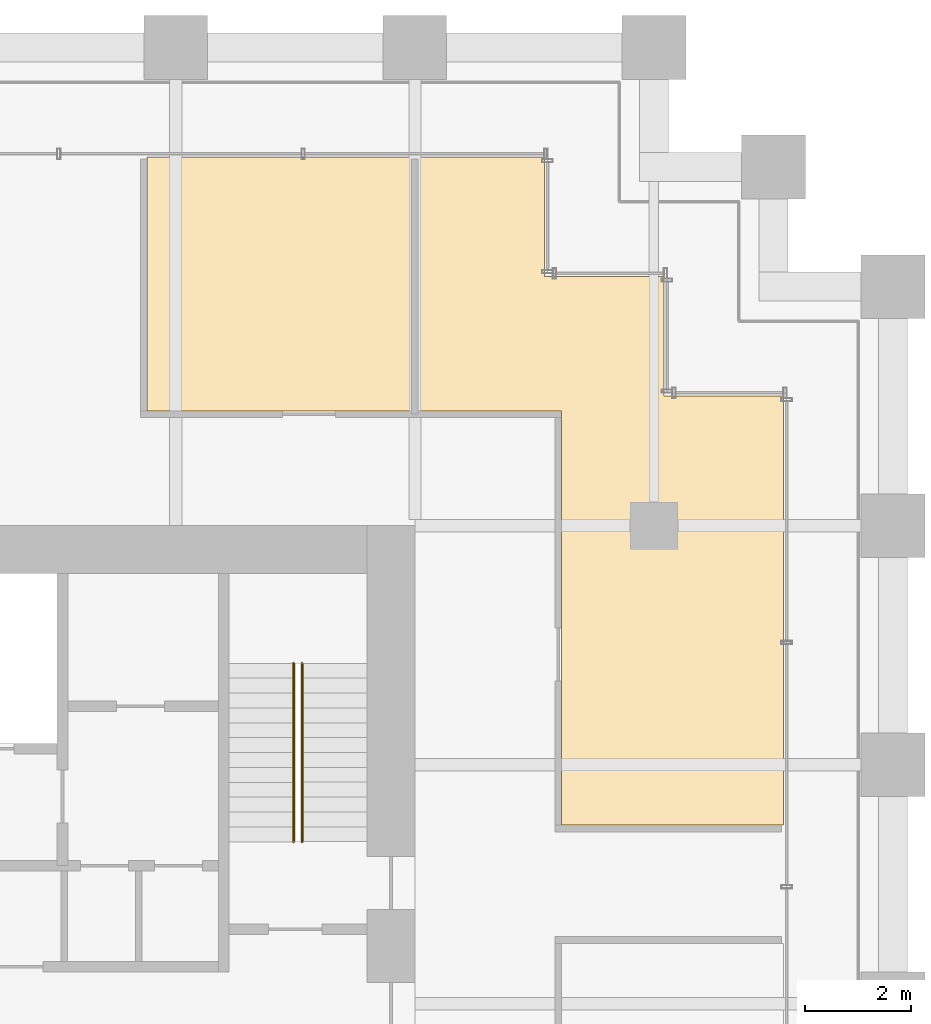
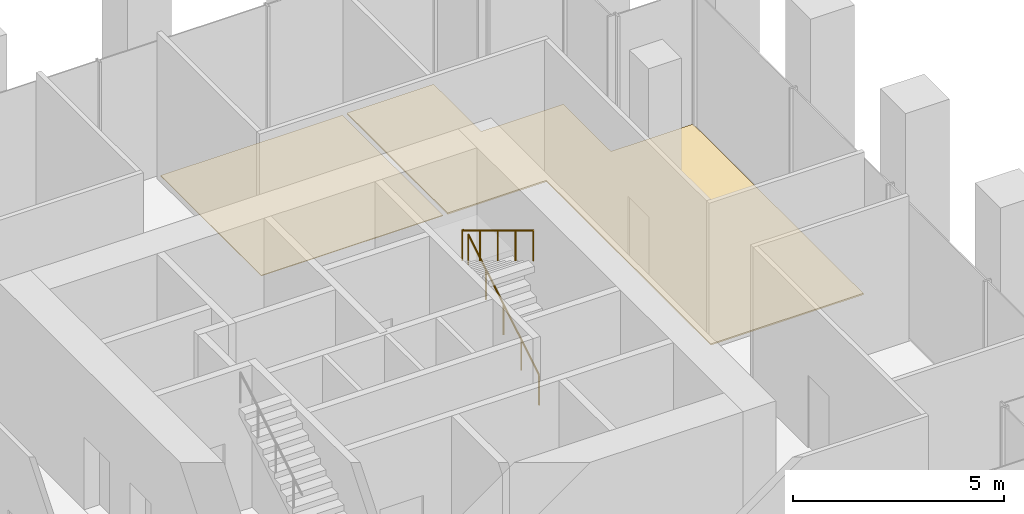
# One storey, part 36 of 36: 2 coverings, 2 railings.
"""IFC4 building model written with IfcOpenShell, lengths in metres."""

from ifc_helpers import new_model, si_unit, direction, frame, origin, origin_2d, place, context, subcontext, project, spatial, polyline, circle, outline, extrude, source, transform, mapped, material, layer, layer_set, type_object, element, save


model = new_model("IFC4")

# Units and contexts
model_context = context("Model", 3, precision=1e-05, world=origin(), true_north=direction((0.0, 1.0)))
body_context = subcontext(model_context, "Body", "Model", "MODEL_VIEW")
ifc_project = project(units=[si_unit("LENGTHUNIT", "METRE"), si_unit("AREAUNIT", "SQUARE_METRE"), si_unit("VOLUMEUNIT", "CUBIC_METRE"), si_unit("PLANEANGLEUNIT", "RADIAN"), si_unit("MASSUNIT", "GRAM", prefix="KILO")], contexts=[model_context])

# Site, building, storey
site_placement = place(None, origin())
site = spatial("IfcSite", under=ifc_project, at=site_placement, CompositionType="ELEMENT")
building_placement = place(site_placement, origin())
building = spatial("IfcBuilding", under=site, at=building_placement, Name="Altepetl Exchange Towers", CompositionType="ELEMENT")
storey_placement = place(building_placement, frame((0.0, 0.0, 34.199951171875)))
storey = spatial("IfcBuildingStorey", under=building, at=storey_placement, Name="L07", CompositionType="ELEMENT", Elevation=34.199951171875)

# Coverings
ifc_material_1 = material(Name="Carpet tile")
ifc_layer_1 = layer(ifc_material_1, 0.02001953125)
ifc_layer_set_1 = layer_set([ifc_layer_1], Name="Carpet tile")
covering_type_1 = type_object("IfcCoveringType", Name="Carpet tile floor", PredefinedType="FLOORING", material=ifc_layer_set_1)
covering_1_placement = place(storey_placement, origin())
element("IfcCovering", 1, at=covering_1_placement, inside=storey, type_object=covering_type_1, Name="Quiet room floor finish B07.06", PredefinedType="FLOORING", context=body_context, shape_type="SweptSolid", body=[
    extrude(outline(polyline([(111.96240234375, 51.66259765625), (116.9375, 51.66259765625), (116.9375, 56.4375), (111.96240234375, 56.4375), (111.96240234375, 51.66259765625)])), origin(), (0.0, 0.0, 1.0), 0.02001953125),
])
ifc_material_2 = material(Name="Calcium sulphate access floor panel")
ifc_layer_2 = layer(ifc_material_2, 0.0400390625)
ifc_layer_set_2 = layer_set([ifc_layer_2], Name="Calcium sulphate access floor panel")
covering_type_2 = type_object("IfcCoveringType", Name="Raised access floor panels", PredefinedType="FLOORING", material=ifc_layer_set_2)
covering_2_placement = place(storey_placement, origin())
element("IfcCovering", 2, at=covering_2_placement, inside=storey, type_object=covering_type_2, Name="Broker office floor finish B07.05", PredefinedType="FLOORING", context=body_context, shape_type="SweptSolid", body=[
    extrude(outline(polyline([(121.6875, 51.9375), (121.6875, 54.1875), (119.4375, 54.1875), (119.4375, 56.4375), (117.0625, 56.4375), (117.0625, 51.66259765625), (119.762451171875, 51.66259765625), (119.762451171875, 43.862548828125), (123.9375, 43.862548828125), (123.9375, 51.9375), (121.6875, 51.9375)])), origin(), (0.0, 0.0, 1.0), 0.0400390625),
])

# Railings
ifc_material_3 = material(Name="Steel", Category="steel")
railing_type = type_object("IfcRailingType", Name="Stair handrail 50 steel tube", PredefinedType="HANDRAIL", material=ifc_material_3)
shared_shape = source(origin(), body_context, "Body", "SweptSolid", [
    extrude(circle(Radius=0.02099609375, at=origin_2d()), origin(), (0.0, 0.0, 1.0), 0.851806640625),
])
railing_1_placement = place(storey_placement, frame((114.8798828125, 43.550048828125, 0.169189453125)))
element("IfcRailing", 3, at=railing_1_placement, inside=storey, type_object=railing_type, Name="Stair handrail", PredefinedType="HANDRAIL", context=body_context, shape_type="SweptSolid", body=[
    extrude(circle(Radius=0.02392578125, at=origin_2d()), frame((0.0, 0.0, 0.8759765625), z_axis=(0.0, 0.855820338506, 0.51727318527), x_axis=(-1.0, 0.0, 0.0)), (0.0, 0.0, 1.0), 3.92578125),
    mapped(shared_shape, transform((0.0, 0.0, 0.0))),
    mapped(shared_shape, transform((0.0, 0.83984375, 0.5078125))),
    mapped(shared_shape, transform((0.0, 1.679931640625, 1.015380859375))),
    mapped(shared_shape, transform((0.0, 2.52001953125, 1.52294921875))),
    mapped(shared_shape, transform((0.0, 3.35986328125, 2.03076171875))),
])
railing_2_placement = place(storey_placement, frame((114.719970703125, 46.909912109375, 2.369140625)))
element("IfcRailing", 4, at=railing_2_placement, inside=storey, type_object=railing_type, Name="Stair handrail", PredefinedType="HANDRAIL", context=body_context, shape_type="SweptSolid", body=[
    extrude(circle(Radius=0.02392578125, at=origin_2d()), frame((0.0, 0.0, 0.8759765625), z_axis=(0.0, -0.855792808344, 0.517318730752), x_axis=(1.0, 0.0, 0.0)), (0.0, 0.0, 1.0), 3.926025390625),
    mapped(shared_shape, transform((0.0, 0.0, 0.0))),
    mapped(shared_shape, transform((0.0, -0.83984375, 0.5078125))),
    mapped(shared_shape, transform((0.0, -1.679931640625, 1.015625))),
    mapped(shared_shape, transform((0.0, -2.52001953125, 1.523193359375))),
    mapped(shared_shape, transform((0.0, -3.35986328125, 2.031005859375))),
])

save(model, "model.ifc")
